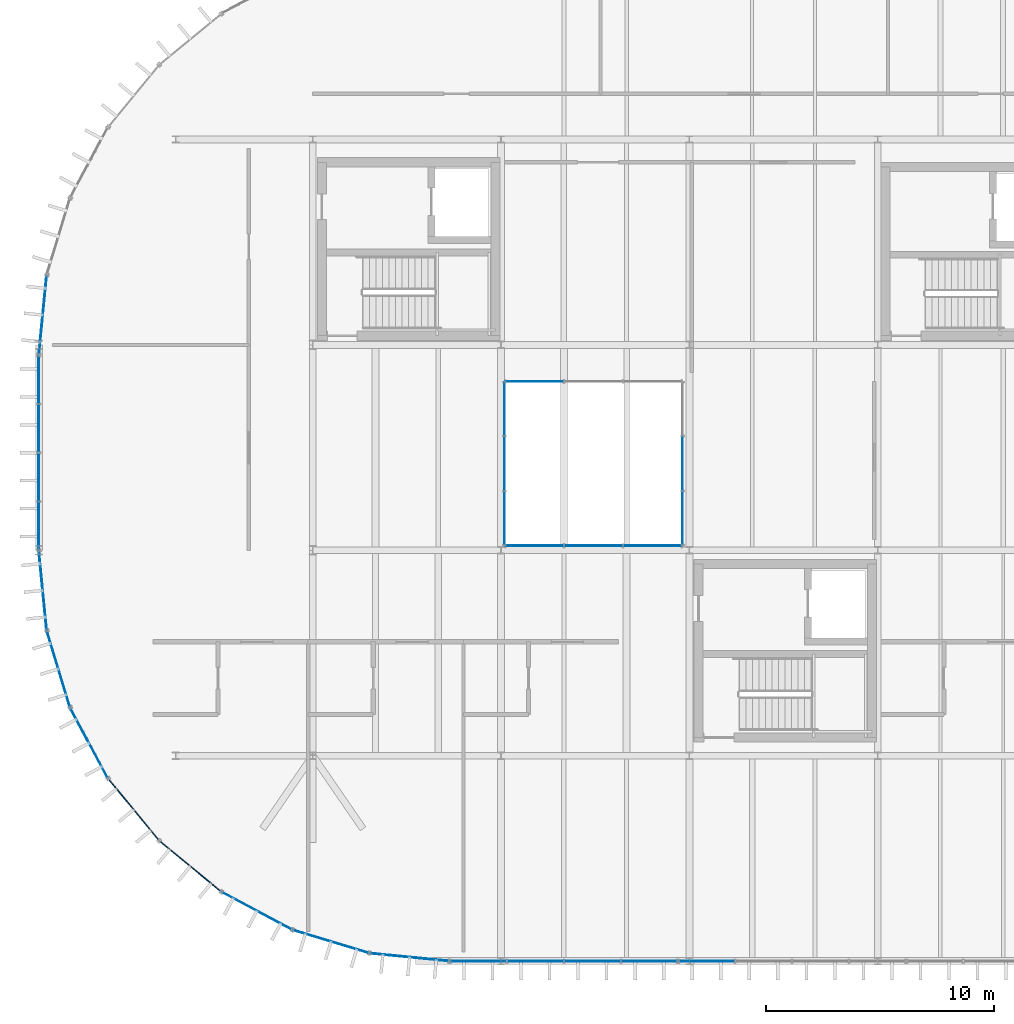
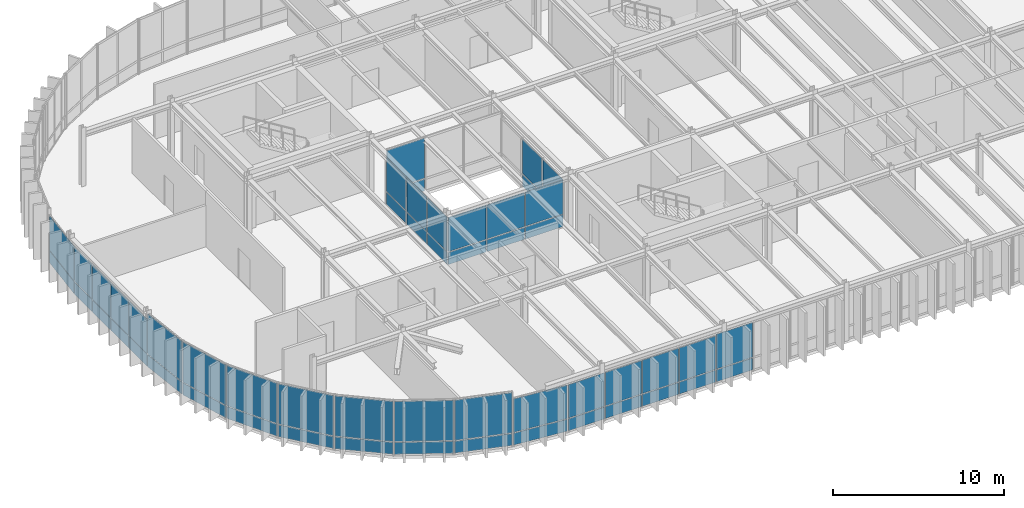
# One storey, part 16 of 27: 54 plates, 16 elements without a shape of their own.
"""IFC4 building model written with IfcOpenShell, lengths in metres."""

from ifc_helpers import new_model, si_unit, direction, frame, origin, origin_2d, place, context, subcontext, project, spatial, rectangle, extrude, material, layer, layer_set, type_object, element, aggregate, save


model = new_model("IFC4")

# Units and contexts
model_context = context("Model", 3, precision=1e-05, world=origin(), true_north=direction((0.0, 1.0)))
body_context = subcontext(model_context, "Body", "Model", "MODEL_VIEW")
ifc_project = project(units=[si_unit("LENGTHUNIT", "METRE"), si_unit("AREAUNIT", "SQUARE_METRE"), si_unit("VOLUMEUNIT", "CUBIC_METRE"), si_unit("PLANEANGLEUNIT", "RADIAN"), si_unit("MASSUNIT", "GRAM", prefix="KILO")], contexts=[model_context])

# Site, building, storey
site_placement = place(None, origin())
site = spatial("IfcSite", under=ifc_project, at=site_placement, CompositionType="ELEMENT")
building_placement = place(site_placement, origin())
building = spatial("IfcBuilding", under=site, at=building_placement, Name="Montealbar Specialist Clinic", CompositionType="ELEMENT")
storey_placement = place(building_placement, frame((0.0, 0.0, 18.0)))
storey = spatial("IfcBuildingStorey", under=building, at=storey_placement, Name="L04", CompositionType="ELEMENT", Elevation=18.0)

# Curtain wall, plates
ifc_material = material(Name="Low-E double glazing", Category="glass")
ifc_layer_1 = layer(ifc_material, 0.199951171875, Name="Low-E double glazing", Category="glass")
ifc_layer_set_1 = layer_set([ifc_layer_1], Name="Low-E double glazing")
curtain_wall_type_1 = type_object("IfcCurtainWallType", Name="CW-TYPE-34", PredefinedType="NOTDEFINED", material=ifc_layer_set_1)
curtain_wall_1_placement = place(storey_placement, origin())
curtain_wall_1 = element("IfcCurtainWall", 1, at=curtain_wall_1_placement, inside=storey, type_object=curtain_wall_type_1, Name="Unitised Curtain Wall CW-L04-744-182-822-182-180", PredefinedType="NOTDEFINED")
ifc_layer_2 = layer(ifc_material, 0.028076171875, Name="Low-E double glazing", Category="glass")
ifc_layer_set_2 = layer_set([ifc_layer_2], Name="Low-E double glazing")
plate_type_1 = type_object("IfcPlateType", Name="CW-PNL-IGU28", PredefinedType="CURTAIN_PANEL", material=ifc_layer_set_2)
plate_1_placement = place(storey_placement, frame((75.699951171875, 18.199951171875, 0.070068359375), z_axis=(0.0, 0.0, 1.0), x_axis=(1.0, 0.0, 0.0)))
plate_1 = element("IfcPlate", 2, at=plate_1_placement, type_object=plate_type_1, Name="Glazed Curtain Panel CW-L04-744-182-822-182-180-1-1", PredefinedType="CURTAIN_PANEL", context=body_context, shape_type="SweptSolid", body=[
    extrude(rectangle(XDim=2.528076171875, YDim=0.028076171875, at=origin_2d()), origin(), (0.0, 0.0, 1.0), 0.85009765625),
])
plate_2_placement = place(storey_placement, frame((75.699951171875, 18.199951171875, 0.97998046875), z_axis=(0.0, 0.0, 1.0), x_axis=(1.0, 0.0, 0.0)))
plate_2 = element("IfcPlate", 3, at=plate_2_placement, type_object=plate_type_1, Name="Glazed Curtain Panel CW-L04-744-182-822-182-180-1-2", PredefinedType="CURTAIN_PANEL", context=body_context, shape_type="SweptSolid", body=[
    extrude(rectangle(XDim=2.528076171875, YDim=0.028076171875, at=origin_2d()), origin(), (0.0, 0.0, 1.0), 2.43994140625),
])
plate_3_placement = place(storey_placement, frame((78.300048828125, 18.199951171875, 0.070068359375), z_axis=(0.0, 0.0, 1.0), x_axis=(1.0, 0.0, 0.0)))
plate_3 = element("IfcPlate", 4, at=plate_3_placement, type_object=plate_type_1, Name="Glazed Curtain Panel CW-L04-744-182-822-182-180-2-1", PredefinedType="CURTAIN_PANEL", context=body_context, shape_type="SweptSolid", body=[
    extrude(rectangle(XDim=2.528076171875, YDim=0.028076171875, at=origin_2d()), origin(), (0.0, 0.0, 1.0), 0.85009765625),
])
plate_4_placement = place(storey_placement, frame((78.300048828125, 18.199951171875, 0.97998046875), z_axis=(0.0, 0.0, 1.0), x_axis=(1.0, 0.0, 0.0)))
plate_4 = element("IfcPlate", 5, at=plate_4_placement, type_object=plate_type_1, Name="Glazed Curtain Panel CW-L04-744-182-822-182-180-2-2", PredefinedType="CURTAIN_PANEL", context=body_context, shape_type="SweptSolid", body=[
    extrude(rectangle(XDim=2.528076171875, YDim=0.028076171875, at=origin_2d()), origin(), (0.0, 0.0, 1.0), 2.43994140625),
])
plate_5_placement = place(storey_placement, frame((80.89990234375, 18.199951171875, 0.070068359375), z_axis=(0.0, 0.0, 1.0), x_axis=(1.0, 0.0, 0.0)))
plate_5 = element("IfcPlate", 6, at=plate_5_placement, type_object=plate_type_1, Name="Glazed Curtain Panel CW-L04-744-182-822-182-180-3-1", PredefinedType="CURTAIN_PANEL", context=body_context, shape_type="SweptSolid", body=[
    extrude(rectangle(XDim=2.528076171875, YDim=0.028076171875, at=origin_2d()), origin(), (0.0, 0.0, 1.0), 0.85009765625),
])
plate_6_placement = place(storey_placement, frame((80.89990234375, 18.199951171875, 0.97998046875), z_axis=(0.0, 0.0, 1.0), x_axis=(1.0, 0.0, 0.0)))
plate_6 = element("IfcPlate", 7, at=plate_6_placement, type_object=plate_type_1, Name="Glazed Curtain Panel CW-L04-744-182-822-182-180-3-2", PredefinedType="CURTAIN_PANEL", context=body_context, shape_type="SweptSolid", body=[
    extrude(rectangle(XDim=2.528076171875, YDim=0.028076171875, at=origin_2d()), origin(), (0.0, 0.0, 1.0), 2.43994140625),
])
aggregate(curtain_wall_1, [plate_1, plate_2, plate_3, plate_4, plate_5, plate_6])

ifc_layer_3 = layer(ifc_material, 0.199951171875, Name="Low-E double glazing", Category="glass")
ifc_layer_set_3 = layer_set([ifc_layer_3], Name="Low-E double glazing")
curtain_wall_type_2 = type_object("IfcCurtainWallType", Name="CW-TYPE-35", PredefinedType="NOTDEFINED", material=ifc_layer_set_3)
curtain_wall_2_placement = place(storey_placement, origin())
curtain_wall_2 = element("IfcCurtainWall", 8, at=curtain_wall_2_placement, inside=storey, type_object=curtain_wall_type_2, Name="Unitised Curtain Wall CW-L04-822-182-822-254-180", PredefinedType="NOTDEFINED")
plate_7_placement = place(storey_placement, frame((82.199951171875, 19.39990234375, 0.070068359375), z_axis=(0.0, 0.0, 1.0), x_axis=(0.0, 1.0, 0.0)))
plate_7 = element("IfcPlate", 9, at=plate_7_placement, type_object=plate_type_1, Name="Glazed Curtain Panel CW-L04-822-182-822-254-180-1-1", PredefinedType="CURTAIN_PANEL", context=body_context, shape_type="SweptSolid", body=[
    extrude(rectangle(XDim=2.327880859375, YDim=0.028076171875, at=origin_2d()), origin(), (0.0, 0.0, 1.0), 0.85009765625),
])
plate_8_placement = place(storey_placement, frame((82.199951171875, 19.39990234375, 0.97998046875), z_axis=(0.0, 0.0, 1.0), x_axis=(0.0, 1.0, 0.0)))
plate_8 = element("IfcPlate", 10, at=plate_8_placement, type_object=plate_type_1, Name="Glazed Curtain Panel CW-L04-822-182-822-254-180-1-2", PredefinedType="CURTAIN_PANEL", context=body_context, shape_type="SweptSolid", body=[
    extrude(rectangle(XDim=2.327880859375, YDim=0.028076171875, at=origin_2d()), origin(), (0.0, 0.0, 1.0), 2.43994140625),
])
plate_9_placement = place(storey_placement, frame((82.199951171875, 21.800048828125, 0.070068359375), z_axis=(0.0, 0.0, 1.0), x_axis=(0.0, 1.0, 0.0)))
plate_9 = element("IfcPlate", 11, at=plate_9_placement, type_object=plate_type_1, Name="Glazed Curtain Panel CW-L04-822-182-822-254-180-2-1", PredefinedType="CURTAIN_PANEL", context=body_context, shape_type="SweptSolid", body=[
    extrude(rectangle(XDim=2.327880859375, YDim=0.028076171875, at=origin_2d()), origin(), (0.0, 0.0, 1.0), 0.85009765625),
])
plate_10_placement = place(storey_placement, frame((82.199951171875, 21.800048828125, 0.97998046875), z_axis=(0.0, 0.0, 1.0), x_axis=(0.0, 1.0, 0.0)))
plate_10 = element("IfcPlate", 12, at=plate_10_placement, type_object=plate_type_1, Name="Glazed Curtain Panel CW-L04-822-182-822-254-180-2-2", PredefinedType="CURTAIN_PANEL", context=body_context, shape_type="SweptSolid", body=[
    extrude(rectangle(XDim=2.327880859375, YDim=0.028076171875, at=origin_2d()), origin(), (0.0, 0.0, 1.0), 2.43994140625),
])
aggregate(curtain_wall_2, [plate_7, plate_8, plate_9, plate_10])

ifc_layer_4 = layer(ifc_material, 0.199951171875, Name="Low-E double glazing", Category="glass")
ifc_layer_set_4 = layer_set([ifc_layer_4], Name="Low-E double glazing")
curtain_wall_type_3 = type_object("IfcCurtainWallType", Name="CW-TYPE-36", PredefinedType="NOTDEFINED", material=ifc_layer_set_4)
curtain_wall_3_placement = place(storey_placement, origin())
curtain_wall_3 = element("IfcCurtainWall", 13, at=curtain_wall_3_placement, inside=storey, type_object=curtain_wall_type_3, Name="Unitised Curtain Wall CW-L04-822-254-744-254-180", PredefinedType="NOTDEFINED")
plate_11_placement = place(storey_placement, frame((75.699951171875, 25.39990234375, 0.070068359375), z_axis=(0.0, 0.0, 1.0), x_axis=(-1.0, 0.0, 0.0)))
plate_11 = element("IfcPlate", 14, at=plate_11_placement, type_object=plate_type_1, Name="Glazed Curtain Panel CW-L04-822-254-744-254-180-3-1", PredefinedType="CURTAIN_PANEL", context=body_context, shape_type="SweptSolid", body=[
    extrude(rectangle(XDim=2.528076171875, YDim=0.028076171875, at=origin_2d()), origin(), (0.0, 0.0, 1.0), 0.85009765625),
])
plate_12_placement = place(storey_placement, frame((75.699951171875, 25.39990234375, 0.97998046875), z_axis=(0.0, 0.0, 1.0), x_axis=(-1.0, 0.0, 0.0)))
plate_12 = element("IfcPlate", 15, at=plate_12_placement, type_object=plate_type_1, Name="Glazed Curtain Panel CW-L04-822-254-744-254-180-3-2", PredefinedType="CURTAIN_PANEL", context=body_context, shape_type="SweptSolid", body=[
    extrude(rectangle(XDim=2.528076171875, YDim=0.028076171875, at=origin_2d()), origin(), (0.0, 0.0, 1.0), 2.8701171875),
])
aggregate(curtain_wall_3, [plate_11, plate_12])

curtain_wall_4_placement = place(storey_placement, origin())
curtain_wall_4 = element("IfcCurtainWall", 16, at=curtain_wall_4_placement, inside=storey, type_object=curtain_wall_type_2, Name="Unitised Curtain Wall CW-L04-744-254-744-182-180", PredefinedType="NOTDEFINED")
plate_13_placement = place(storey_placement, frame((74.39990234375, 24.199951171875, 0.070068359375), z_axis=(0.0, 0.0, 1.0), x_axis=(0.0, -1.0, 0.0)))
plate_13 = element("IfcPlate", 17, at=plate_13_placement, type_object=plate_type_1, Name="Glazed Curtain Panel CW-L04-744-254-744-182-180-1-1", PredefinedType="CURTAIN_PANEL", context=body_context, shape_type="SweptSolid", body=[
    extrude(rectangle(XDim=2.327880859375, YDim=0.028076171875, at=origin_2d()), origin(), (0.0, 0.0, 1.0), 0.85009765625),
])
plate_14_placement = place(storey_placement, frame((74.39990234375, 24.199951171875, 0.97998046875), z_axis=(0.0, 0.0, 1.0), x_axis=(0.0, -1.0, 0.0)))
plate_14 = element("IfcPlate", 18, at=plate_14_placement, type_object=plate_type_1, Name="Glazed Curtain Panel CW-L04-744-254-744-182-180-1-2", PredefinedType="CURTAIN_PANEL", context=body_context, shape_type="SweptSolid", body=[
    extrude(rectangle(XDim=2.327880859375, YDim=0.028076171875, at=origin_2d()), origin(), (0.0, 0.0, 1.0), 2.43994140625),
])
plate_15_placement = place(storey_placement, frame((74.39990234375, 21.800048828125, 0.070068359375), z_axis=(0.0, 0.0, 1.0), x_axis=(0.0, -1.0, 0.0)))
plate_15 = element("IfcPlate", 19, at=plate_15_placement, type_object=plate_type_1, Name="Glazed Curtain Panel CW-L04-744-254-744-182-180-2-1", PredefinedType="CURTAIN_PANEL", context=body_context, shape_type="SweptSolid", body=[
    extrude(rectangle(XDim=2.327880859375, YDim=0.028076171875, at=origin_2d()), origin(), (0.0, 0.0, 1.0), 0.85009765625),
])
plate_16_placement = place(storey_placement, frame((74.39990234375, 21.800048828125, 0.97998046875), z_axis=(0.0, 0.0, 1.0), x_axis=(0.0, -1.0, 0.0)))
plate_16 = element("IfcPlate", 20, at=plate_16_placement, type_object=plate_type_1, Name="Glazed Curtain Panel CW-L04-744-254-744-182-180-2-2", PredefinedType="CURTAIN_PANEL", context=body_context, shape_type="SweptSolid", body=[
    extrude(rectangle(XDim=2.327880859375, YDim=0.028076171875, at=origin_2d()), origin(), (0.0, 0.0, 1.0), 2.43994140625),
])
plate_17_placement = place(storey_placement, frame((74.39990234375, 19.39990234375, 0.070068359375), z_axis=(0.0, 0.0, 1.0), x_axis=(0.0, -1.0, 0.0)))
plate_17 = element("IfcPlate", 21, at=plate_17_placement, type_object=plate_type_1, Name="Glazed Curtain Panel CW-L04-744-254-744-182-180-3-1", PredefinedType="CURTAIN_PANEL", context=body_context, shape_type="SweptSolid", body=[
    extrude(rectangle(XDim=2.327880859375, YDim=0.028076171875, at=origin_2d()), origin(), (0.0, 0.0, 1.0), 0.85009765625),
])
plate_18_placement = place(storey_placement, frame((74.39990234375, 19.39990234375, 0.97998046875), z_axis=(0.0, 0.0, 1.0), x_axis=(0.0, -1.0, 0.0)))
plate_18 = element("IfcPlate", 22, at=plate_18_placement, type_object=plate_type_1, Name="Glazed Curtain Panel CW-L04-744-254-744-182-180-3-2", PredefinedType="CURTAIN_PANEL", context=body_context, shape_type="SweptSolid", body=[
    extrude(rectangle(XDim=2.327880859375, YDim=0.028076171875, at=origin_2d()), origin(), (0.0, 0.0, 1.0), 2.43994140625),
])
aggregate(curtain_wall_4, [plate_13, plate_14, plate_15, plate_16, plate_17, plate_18])

ifc_layer_5 = layer(ifc_material, 0.199951171875, Name="Low-E double glazing", Category="glass")
ifc_layer_set_5 = layer_set([ifc_layer_5], Name="Low-E double glazing")
curtain_wall_type_4 = type_object("IfcCurtainWallType", Name="CW-TYPE-27", PredefinedType="NOTDEFINED", material=ifc_layer_set_5)
curtain_wall_5_placement = place(storey_placement, origin())
curtain_wall_5 = element("IfcCurtainWall", 23, at=curtain_wall_5_placement, inside=storey, type_object=curtain_wall_type_4, Name="Unitised Curtain Wall CW-L04-540-180-540-266-180", PredefinedType="NOTDEFINED")
ifc_layer_6 = layer(ifc_material, 0.0380859375, Name="Low-E double glazing", Category="glass")
ifc_layer_set_6 = layer_set([ifc_layer_6], Name="Low-E double glazing")
plate_type_2 = type_object("IfcPlateType", Name="CW-PNL-IGU38", PredefinedType="CURTAIN_PANEL", material=ifc_layer_set_6)
plate_19_placement = place(storey_placement, frame((54.0, 19.069091796875, 0.070068359375), z_axis=(0.0, 0.0, 1.0), x_axis=(0.0, 1.0, 0.0)))
plate_19 = element("IfcPlate", 24, at=plate_19_placement, type_object=plate_type_2, Name="Glazed Curtain Panel CW-L04-540-180-540-266-180-1-1", PredefinedType="CURTAIN_PANEL", context=body_context, shape_type="SweptSolid", body=[
    extrude(rectangle(XDim=2.053955078125, YDim=0.0380859375, at=origin_2d()), origin(), (0.0, 0.0, 1.0), 0.85009765625),
])
plate_20_placement = place(storey_placement, frame((54.0, 19.069091796875, 0.97998046875), z_axis=(0.0, 0.0, 1.0), x_axis=(0.0, 1.0, 0.0)))
plate_20 = element("IfcPlate", 25, at=plate_20_placement, type_object=plate_type_2, Name="Glazed Curtain Panel CW-L04-540-180-540-266-180-1-2", PredefinedType="CURTAIN_PANEL", context=body_context, shape_type="SweptSolid", body=[
    extrude(rectangle(XDim=2.053955078125, YDim=0.0380859375, at=origin_2d()), origin(), (0.0, 0.0, 1.0), 2.43994140625),
])
plate_21_placement = place(storey_placement, frame((54.0, 21.2060546875, 0.070068359375), z_axis=(0.0, 0.0, 1.0), x_axis=(0.0, 1.0, 0.0)))
plate_21 = element("IfcPlate", 26, at=plate_21_placement, type_object=plate_type_2, Name="Glazed Curtain Panel CW-L04-540-180-540-266-180-2-1", PredefinedType="CURTAIN_PANEL", context=body_context, shape_type="SweptSolid", body=[
    extrude(rectangle(XDim=2.053955078125, YDim=0.0380859375, at=origin_2d()), origin(), (0.0, 0.0, 1.0), 0.85009765625),
])
plate_22_placement = place(storey_placement, frame((54.0, 21.2060546875, 0.97998046875), z_axis=(0.0, 0.0, 1.0), x_axis=(0.0, 1.0, 0.0)))
plate_22 = element("IfcPlate", 27, at=plate_22_placement, type_object=plate_type_2, Name="Glazed Curtain Panel CW-L04-540-180-540-266-180-2-2", PredefinedType="CURTAIN_PANEL", context=body_context, shape_type="SweptSolid", body=[
    extrude(rectangle(XDim=2.053955078125, YDim=0.0380859375, at=origin_2d()), origin(), (0.0, 0.0, 1.0), 2.43994140625),
])
plate_23_placement = place(storey_placement, frame((54.0, 23.343994140625, 0.070068359375), z_axis=(0.0, 0.0, 1.0), x_axis=(0.0, 1.0, 0.0)))
plate_23 = element("IfcPlate", 28, at=plate_23_placement, type_object=plate_type_2, Name="Glazed Curtain Panel CW-L04-540-180-540-266-180-3-1", PredefinedType="CURTAIN_PANEL", context=body_context, shape_type="SweptSolid", body=[
    extrude(rectangle(XDim=2.053955078125, YDim=0.0380859375, at=origin_2d()), origin(), (0.0, 0.0, 1.0), 0.85009765625),
])
plate_24_placement = place(storey_placement, frame((54.0, 23.343994140625, 0.97998046875), z_axis=(0.0, 0.0, 1.0), x_axis=(0.0, 1.0, 0.0)))
plate_24 = element("IfcPlate", 29, at=plate_24_placement, type_object=plate_type_2, Name="Glazed Curtain Panel CW-L04-540-180-540-266-180-3-2", PredefinedType="CURTAIN_PANEL", context=body_context, shape_type="SweptSolid", body=[
    extrude(rectangle(XDim=2.053955078125, YDim=0.0380859375, at=origin_2d()), origin(), (0.0, 0.0, 1.0), 2.43994140625),
])
plate_25_placement = place(storey_placement, frame((54.0, 25.48095703125, 0.070068359375), z_axis=(0.0, 0.0, 1.0), x_axis=(0.0, 1.0, 0.0)))
plate_25 = element("IfcPlate", 30, at=plate_25_placement, type_object=plate_type_2, Name="Glazed Curtain Panel CW-L04-540-180-540-266-180-4-1", PredefinedType="CURTAIN_PANEL", context=body_context, shape_type="SweptSolid", body=[
    extrude(rectangle(XDim=2.053955078125, YDim=0.0380859375, at=origin_2d()), origin(), (0.0, 0.0, 1.0), 0.85009765625),
])
plate_26_placement = place(storey_placement, frame((54.0, 25.48095703125, 0.97998046875), z_axis=(0.0, 0.0, 1.0), x_axis=(0.0, 1.0, 0.0)))
plate_26 = element("IfcPlate", 31, at=plate_26_placement, type_object=plate_type_2, Name="Glazed Curtain Panel CW-L04-540-180-540-266-180-4-2", PredefinedType="CURTAIN_PANEL", context=body_context, shape_type="SweptSolid", body=[
    extrude(rectangle(XDim=2.053955078125, YDim=0.0380859375, at=origin_2d()), origin(), (0.0, 0.0, 1.0), 2.43994140625),
])
aggregate(curtain_wall_5, [plate_19, plate_20, plate_21, plate_22, plate_23, plate_24, plate_25, plate_26])

ifc_layer_7 = layer(ifc_material, 0.199951171875, Name="Low-E double glazing", Category="glass")
ifc_layer_set_7 = layer_set([ifc_layer_7], Name="Low-E double glazing")
curtain_wall_type_5 = type_object("IfcCurtainWallType", Name="CW-TYPE-28", PredefinedType="NOTDEFINED", material=ifc_layer_set_7)
curtain_wall_6_placement = place(storey_placement, origin())
curtain_wall_6 = element("IfcCurtainWall", 32, at=curtain_wall_6_placement, inside=storey, type_object=curtain_wall_type_5, Name="Unitised Curtain Wall CW-L04-540-266-543-301-180", PredefinedType="NOTDEFINED")
plate_27_placement = place(storey_placement, frame((54.173095703125, 28.305908203125, 0.070068359375), z_axis=(0.0, 0.0, 1.0), x_axis=(0.098044697094, 0.995182012183, 0.0)))
plate_27 = element("IfcPlate", 33, at=plate_27_placement, type_object=plate_type_2, Name="Glazed Curtain Panel CW-L04-540-266-543-301-180-1-1", PredefinedType="CURTAIN_PANEL", context=body_context, shape_type="SweptSolid", body=[
    extrude(rectangle(XDim=3.445068359375, YDim=0.0380859375, at=origin_2d()), origin(), (0.0, 0.0, 1.0), 0.85009765625),
])
plate_28_placement = place(storey_placement, frame((54.173095703125, 28.305908203125, 0.97998046875), z_axis=(0.0, 0.0, 1.0), x_axis=(0.098044697094, 0.995182012183, 0.0)))
plate_28 = element("IfcPlate", 34, at=plate_28_placement, type_object=plate_type_2, Name="Glazed Curtain Panel CW-L04-540-266-543-301-180-1-2", PredefinedType="CURTAIN_PANEL", context=body_context, shape_type="SweptSolid", body=[
    extrude(rectangle(XDim=3.445068359375, YDim=0.0380859375, at=origin_2d()), origin(), (0.0, 0.0, 1.0), 2.43994140625),
])
aggregate(curtain_wall_6, [plate_27, plate_28])

ifc_layer_8 = layer(ifc_material, 0.199951171875, Name="Low-E double glazing", Category="glass")
ifc_layer_set_8 = layer_set([ifc_layer_8], Name="Low-E double glazing")
curtain_wall_type_6 = type_object("IfcCurtainWallType", Name="CW-TYPE-16", PredefinedType="NOTDEFINED", material=ifc_layer_set_8)
curtain_wall_7_placement = place(storey_placement, origin())
curtain_wall_7 = element("IfcCurtainWall", 35, at=curtain_wall_7_placement, inside=storey, type_object=curtain_wall_type_6, Name="Unitised Curtain Wall CW-L04-920-0-820-0-180", PredefinedType="NOTDEFINED")
plate_29_placement = place(storey_placement, frame((83.25, 0.0, 0.070068359375), z_axis=(0.0, 0.0, 1.0), x_axis=(-1.0, 0.0, 0.0)))
plate_29 = element("IfcPlate", 36, at=plate_29_placement, type_object=plate_type_2, Name="Glazed Curtain Panel CW-L04-920-0-820-0-180-4-1", PredefinedType="CURTAIN_PANEL", context=body_context, shape_type="SweptSolid", body=[
    extrude(rectangle(XDim=2.416015625, YDim=0.0380859375, at=origin_2d()), origin(), (0.0, 0.0, 1.0), 0.85009765625),
])
plate_30_placement = place(storey_placement, frame((83.25, 0.0, 0.97998046875), z_axis=(0.0, 0.0, 1.0), x_axis=(-1.0, 0.0, 0.0)))
plate_30 = element("IfcPlate", 37, at=plate_30_placement, type_object=plate_type_2, Name="Glazed Curtain Panel CW-L04-920-0-820-0-180-4-2", PredefinedType="CURTAIN_PANEL", context=body_context, shape_type="SweptSolid", body=[
    extrude(rectangle(XDim=2.416015625, YDim=0.0380859375, at=origin_2d()), origin(), (0.0, 0.0, 1.0), 2.47998046875),
])
aggregate(curtain_wall_7, [plate_29, plate_30])

ifc_layer_9 = layer(ifc_material, 0.199951171875, Name="Low-E double glazing", Category="glass")
ifc_layer_set_9 = layer_set([ifc_layer_9], Name="Low-E double glazing")
curtain_wall_type_7 = type_object("IfcCurtainWallType", Name="CW-TYPE-32", PredefinedType="NOTDEFINED", material=ifc_layer_set_9)
curtain_wall_8_placement = place(storey_placement, origin())
curtain_wall_8 = element("IfcCurtainWall", 38, at=curtain_wall_8_placement, inside=storey, type_object=curtain_wall_type_7, Name="Unitised Curtain Wall CW-L04-820-0-720-0-180", PredefinedType="NOTDEFINED")
plate_31_placement = place(storey_placement, frame((80.75, 0.0, 0.070068359375), z_axis=(0.0, 0.0, 1.0), x_axis=(-1.0, 0.0, 0.0)))
plate_31 = element("IfcPlate", 39, at=plate_31_placement, type_object=plate_type_2, Name="Glazed Curtain Panel CW-L04-820-0-720-0-180-1-1", PredefinedType="CURTAIN_PANEL", context=body_context, shape_type="SweptSolid", body=[
    extrude(rectangle(XDim=2.416015625, YDim=0.0380859375, at=origin_2d()), origin(), (0.0, 0.0, 1.0), 0.85009765625),
])
plate_32_placement = place(storey_placement, frame((80.75, 0.0, 0.97998046875), z_axis=(0.0, 0.0, 1.0), x_axis=(-1.0, 0.0, 0.0)))
plate_32 = element("IfcPlate", 40, at=plate_32_placement, type_object=plate_type_2, Name="Glazed Curtain Panel CW-L04-820-0-720-0-180-1-2", PredefinedType="CURTAIN_PANEL", context=body_context, shape_type="SweptSolid", body=[
    extrude(rectangle(XDim=2.416015625, YDim=0.0380859375, at=origin_2d()), origin(), (0.0, 0.0, 1.0), 2.387939453125),
])
plate_33_placement = place(storey_placement, frame((78.25, 0.0, 0.070068359375), z_axis=(0.0, 0.0, 1.0), x_axis=(-1.0, 0.0, 0.0)))
plate_33 = element("IfcPlate", 41, at=plate_33_placement, type_object=plate_type_2, Name="Glazed Curtain Panel CW-L04-820-0-720-0-180-2-1", PredefinedType="CURTAIN_PANEL", context=body_context, shape_type="SweptSolid", body=[
    extrude(rectangle(XDim=2.416015625, YDim=0.0380859375, at=origin_2d()), origin(), (0.0, 0.0, 1.0), 0.85009765625),
])
plate_34_placement = place(storey_placement, frame((78.25, 0.0, 0.97998046875), z_axis=(0.0, 0.0, 1.0), x_axis=(-1.0, 0.0, 0.0)))
plate_34 = element("IfcPlate", 42, at=plate_34_placement, type_object=plate_type_2, Name="Glazed Curtain Panel CW-L04-820-0-720-0-180-2-2", PredefinedType="CURTAIN_PANEL", context=body_context, shape_type="SweptSolid", body=[
    extrude(rectangle(XDim=2.416015625, YDim=0.0380859375, at=origin_2d()), origin(), (0.0, 0.0, 1.0), 2.387939453125),
])
plate_35_placement = place(storey_placement, frame((75.75, 0.0, 0.070068359375), z_axis=(0.0, 0.0, 1.0), x_axis=(-1.0, 0.0, 0.0)))
plate_35 = element("IfcPlate", 43, at=plate_35_placement, type_object=plate_type_2, Name="Glazed Curtain Panel CW-L04-820-0-720-0-180-3-1", PredefinedType="CURTAIN_PANEL", context=body_context, shape_type="SweptSolid", body=[
    extrude(rectangle(XDim=2.416015625, YDim=0.0380859375, at=origin_2d()), origin(), (0.0, 0.0, 1.0), 0.85009765625),
])
plate_36_placement = place(storey_placement, frame((75.75, 0.0, 0.97998046875), z_axis=(0.0, 0.0, 1.0), x_axis=(-1.0, 0.0, 0.0)))
plate_36 = element("IfcPlate", 44, at=plate_36_placement, type_object=plate_type_2, Name="Glazed Curtain Panel CW-L04-820-0-720-0-180-3-2", PredefinedType="CURTAIN_PANEL", context=body_context, shape_type="SweptSolid", body=[
    extrude(rectangle(XDim=2.416015625, YDim=0.0380859375, at=origin_2d()), origin(), (0.0, 0.0, 1.0), 2.387939453125),
])
plate_37_placement = place(storey_placement, frame((73.25, 0.0, 0.070068359375), z_axis=(0.0, 0.0, 1.0), x_axis=(-1.0, 0.0, 0.0)))
plate_37 = element("IfcPlate", 45, at=plate_37_placement, type_object=plate_type_2, Name="Glazed Curtain Panel CW-L04-820-0-720-0-180-4-1", PredefinedType="CURTAIN_PANEL", context=body_context, shape_type="SweptSolid", body=[
    extrude(rectangle(XDim=2.416015625, YDim=0.0380859375, at=origin_2d()), origin(), (0.0, 0.0, 1.0), 0.85009765625),
])
plate_38_placement = place(storey_placement, frame((73.25, 0.0, 0.97998046875), z_axis=(0.0, 0.0, 1.0), x_axis=(-1.0, 0.0, 0.0)))
plate_38 = element("IfcPlate", 46, at=plate_38_placement, type_object=plate_type_2, Name="Glazed Curtain Panel CW-L04-820-0-720-0-180-4-2", PredefinedType="CURTAIN_PANEL", context=body_context, shape_type="SweptSolid", body=[
    extrude(rectangle(XDim=2.416015625, YDim=0.0380859375, at=origin_2d()), origin(), (0.0, 0.0, 1.0), 2.387939453125),
])
aggregate(curtain_wall_8, [plate_31, plate_32, plate_33, plate_34, plate_35, plate_36, plate_37, plate_38])

ifc_layer_10 = layer(ifc_material, 0.199951171875, Name="Low-E double glazing", Category="glass")
ifc_layer_set_10 = layer_set([ifc_layer_10], Name="Low-E double glazing")
curtain_wall_type_8 = type_object("IfcCurtainWallType", Name="CW-TYPE-33", PredefinedType="NOTDEFINED", material=ifc_layer_set_10)
curtain_wall_9_placement = place(storey_placement, origin())
curtain_wall_9 = element("IfcCurtainWall", 47, at=curtain_wall_9_placement, inside=storey, type_object=curtain_wall_type_8, Name="Unitised Curtain Wall CW-L04-720-0-685-3-180", PredefinedType="NOTDEFINED")
plate_39_placement = place(storey_placement, frame((70.243896484375, 0.173095703125, 0.070068359375), z_axis=(0.0, 0.0, 1.0), x_axis=(-0.995182012183, 0.098044697094, 0.0)))
plate_39 = element("IfcPlate", 48, at=plate_39_placement, type_object=plate_type_2, Name="Glazed Curtain Panel CW-L04-720-0-685-3-180-1-1", PredefinedType="CURTAIN_PANEL", context=body_context, shape_type="SweptSolid", body=[
    extrude(rectangle(XDim=3.445068359375, YDim=0.0380859375, at=origin_2d()), origin(), (0.0, 0.0, 1.0), 0.85009765625),
])
plate_40_placement = place(storey_placement, frame((70.243896484375, 0.173095703125, 0.97998046875), z_axis=(0.0, 0.0, 1.0), x_axis=(-0.995182012183, 0.098044697094, 0.0)))
plate_40 = element("IfcPlate", 49, at=plate_40_placement, type_object=plate_type_2, Name="Glazed Curtain Panel CW-L04-720-0-685-3-180-1-2", PredefinedType="CURTAIN_PANEL", context=body_context, shape_type="SweptSolid", body=[
    extrude(rectangle(XDim=3.445068359375, YDim=0.0380859375, at=origin_2d()), origin(), (0.0, 0.0, 1.0), 2.387939453125),
])
aggregate(curtain_wall_9, [plate_39, plate_40])

ifc_layer_11 = layer(ifc_material, 0.199951171875, Name="Low-E double glazing", Category="glass")
ifc_layer_set_11 = layer_set([ifc_layer_11], Name="Low-E double glazing")
curtain_wall_type_9 = type_object("IfcCurtainWallType", Name="CW-TYPE-29", PredefinedType="NOTDEFINED", material=ifc_layer_set_11)
curtain_wall_10_placement = place(storey_placement, origin())
curtain_wall_10 = element("IfcCurtainWall", 50, at=curtain_wall_10_placement, inside=storey, type_object=curtain_wall_type_9, Name="Unitised Curtain Wall CW-L04-685-3-651-14-180", PredefinedType="NOTDEFINED")
plate_41_placement = place(storey_placement, frame((66.800048828125, 0.85791015625, 0.070068359375), z_axis=(0.0, 0.0, 1.0), x_axis=(-0.956948083701, 0.290259134399, 0.0)))
plate_41 = element("IfcPlate", 51, at=plate_41_placement, type_object=plate_type_2, Name="Glazed Curtain Panel CW-L04-685-3-651-14-180-1-1", PredefinedType="CURTAIN_PANEL", context=body_context, shape_type="SweptSolid", body=[
    extrude(rectangle(XDim=3.444091796875, YDim=0.0380859375, at=origin_2d()), origin(), (0.0, 0.0, 1.0), 0.85009765625),
])
plate_42_placement = place(storey_placement, frame((66.800048828125, 0.85791015625, 0.97998046875), z_axis=(0.0, 0.0, 1.0), x_axis=(-0.956948083701, 0.290259134399, 0.0)))
plate_42 = element("IfcPlate", 52, at=plate_42_placement, type_object=plate_type_2, Name="Glazed Curtain Panel CW-L04-685-3-651-14-180-1-2", PredefinedType="CURTAIN_PANEL", context=body_context, shape_type="SweptSolid", body=[
    extrude(rectangle(XDim=3.444091796875, YDim=0.0380859375, at=origin_2d()), origin(), (0.0, 0.0, 1.0), 2.8701171875),
])
aggregate(curtain_wall_10, [plate_41, plate_42])

curtain_wall_11_placement = place(storey_placement, origin())
curtain_wall_11 = element("IfcCurtainWall", 53, at=curtain_wall_11_placement, inside=storey, type_object=curtain_wall_type_9, Name="Unitised Curtain Wall CW-L04-651-14-620-30-180", PredefinedType="NOTDEFINED")
plate_43_placement = place(storey_placement, frame((63.555908203125, 2.201904296875, 0.070068359375), z_axis=(0.0, 0.0, 1.0), x_axis=(-0.881850411644, 0.471529268958, 0.0)))
plate_43 = element("IfcPlate", 54, at=plate_43_placement, type_object=plate_type_2, Name="Glazed Curtain Panel CW-L04-651-14-620-30-180-1-1", PredefinedType="CURTAIN_PANEL", context=body_context, shape_type="SweptSolid", body=[
    extrude(rectangle(XDim=3.445068359375, YDim=0.0380859375, at=origin_2d()), origin(), (0.0, 0.0, 1.0), 0.85009765625),
])
plate_44_placement = place(storey_placement, frame((63.555908203125, 2.201904296875, 0.97998046875), z_axis=(0.0, 0.0, 1.0), x_axis=(-0.881850411644, 0.471529268958, 0.0)))
plate_44 = element("IfcPlate", 55, at=plate_44_placement, type_object=plate_type_2, Name="Glazed Curtain Panel CW-L04-651-14-620-30-180-1-2", PredefinedType="CURTAIN_PANEL", context=body_context, shape_type="SweptSolid", body=[
    extrude(rectangle(XDim=3.445068359375, YDim=0.0380859375, at=origin_2d()), origin(), (0.0, 0.0, 1.0), 2.8701171875),
])
aggregate(curtain_wall_11, [plate_43, plate_44])

curtain_wall_12_placement = place(storey_placement, origin())
curtain_wall_12 = element("IfcCurtainWall", 56, at=curtain_wall_12_placement, inside=storey, type_object=curtain_wall_type_9, Name="Unitised Curtain Wall CW-L04-620-30-593-53-180", PredefinedType="NOTDEFINED")
plate_45_placement = place(storey_placement, frame((60.635986328125, 4.153076171875, 0.070068359375), z_axis=(0.0, 0.0, 1.0), x_axis=(-0.773123255923, 0.634255808922, 0.0)))
plate_45 = element("IfcPlate", 57, at=plate_45_placement, type_object=plate_type_2, Name="Glazed Curtain Panel CW-L04-620-30-593-53-180-1-1", PredefinedType="CURTAIN_PANEL", context=body_context, shape_type="SweptSolid", body=[
    extrude(rectangle(XDim=3.445068359375, YDim=0.0380859375, at=origin_2d()), origin(), (0.0, 0.0, 1.0), 0.85009765625),
])
plate_46_placement = place(storey_placement, frame((60.635986328125, 4.153076171875, 0.97998046875), z_axis=(0.0, 0.0, 1.0), x_axis=(-0.773123255923, 0.634255808922, 0.0)))
plate_46 = element("IfcPlate", 58, at=plate_46_placement, type_object=plate_type_2, Name="Glazed Curtain Panel CW-L04-620-30-593-53-180-1-2", PredefinedType="CURTAIN_PANEL", context=body_context, shape_type="SweptSolid", body=[
    extrude(rectangle(XDim=3.445068359375, YDim=0.0380859375, at=origin_2d()), origin(), (0.0, 0.0, 1.0), 2.8701171875),
])
aggregate(curtain_wall_12, [plate_45, plate_46])

curtain_wall_13_placement = place(storey_placement, origin())
curtain_wall_13 = element("IfcCurtainWall", 59, at=curtain_wall_13_placement, inside=storey, type_object=curtain_wall_type_9, Name="Unitised Curtain Wall CW-L04-593-53-570-80-180", PredefinedType="NOTDEFINED")
plate_47_placement = place(storey_placement, frame((58.153076171875, 6.635986328125, 0.070068359375), z_axis=(0.0, 0.0, 1.0), x_axis=(-0.634255808922, 0.773123255923, 0.0)))
plate_47 = element("IfcPlate", 60, at=plate_47_placement, type_object=plate_type_2, Name="Glazed Curtain Panel CW-L04-593-53-570-80-180-1-1", PredefinedType="CURTAIN_PANEL", context=body_context, shape_type="SweptSolid", body=[
    extrude(rectangle(XDim=3.445068359375, YDim=0.0380859375, at=origin_2d()), origin(), (0.0, 0.0, 1.0), 0.85009765625),
])
plate_48_placement = place(storey_placement, frame((58.153076171875, 6.635986328125, 0.97998046875), z_axis=(0.0, 0.0, 1.0), x_axis=(-0.634255808922, 0.773123255923, 0.0)))
plate_48 = element("IfcPlate", 61, at=plate_48_placement, type_object=plate_type_2, Name="Glazed Curtain Panel CW-L04-593-53-570-80-180-1-2", PredefinedType="CURTAIN_PANEL", context=body_context, shape_type="SweptSolid", body=[
    extrude(rectangle(XDim=3.445068359375, YDim=0.0380859375, at=origin_2d()), origin(), (0.0, 0.0, 1.0), 2.8701171875),
])
aggregate(curtain_wall_13, [plate_47, plate_48])

curtain_wall_14_placement = place(storey_placement, origin())
curtain_wall_14 = element("IfcCurtainWall", 62, at=curtain_wall_14_placement, inside=storey, type_object=curtain_wall_type_9, Name="Unitised Curtain Wall CW-L04-570-80-554-111-180", PredefinedType="NOTDEFINED")
plate_49_placement = place(storey_placement, frame((56.201904296875, 9.555908203125, 0.070068359375), z_axis=(0.0, 0.0, 1.0), x_axis=(-0.471529268958, 0.881850411644, 0.0)))
plate_49 = element("IfcPlate", 63, at=plate_49_placement, type_object=plate_type_2, Name="Glazed Curtain Panel CW-L04-570-80-554-111-180-1-1", PredefinedType="CURTAIN_PANEL", context=body_context, shape_type="SweptSolid", body=[
    extrude(rectangle(XDim=3.445068359375, YDim=0.0380859375, at=origin_2d()), origin(), (0.0, 0.0, 1.0), 0.85009765625),
])
plate_50_placement = place(storey_placement, frame((56.201904296875, 9.555908203125, 0.97998046875), z_axis=(0.0, 0.0, 1.0), x_axis=(-0.471529268958, 0.881850411644, 0.0)))
plate_50 = element("IfcPlate", 64, at=plate_50_placement, type_object=plate_type_2, Name="Glazed Curtain Panel CW-L04-570-80-554-111-180-1-2", PredefinedType="CURTAIN_PANEL", context=body_context, shape_type="SweptSolid", body=[
    extrude(rectangle(XDim=3.445068359375, YDim=0.0380859375, at=origin_2d()), origin(), (0.0, 0.0, 1.0), 2.8701171875),
])
aggregate(curtain_wall_14, [plate_49, plate_50])

curtain_wall_15_placement = place(storey_placement, origin())
curtain_wall_15 = element("IfcCurtainWall", 65, at=curtain_wall_15_placement, inside=storey, type_object=curtain_wall_type_9, Name="Unitised Curtain Wall CW-L04-554-111-543-145-180", PredefinedType="NOTDEFINED")
plate_51_placement = place(storey_placement, frame((54.85791015625, 12.800048828125, 0.070068359375), z_axis=(0.0, 0.0, 1.0), x_axis=(-0.290259134399, 0.956948083701, 0.0)))
plate_51 = element("IfcPlate", 66, at=plate_51_placement, type_object=plate_type_2, Name="Glazed Curtain Panel CW-L04-554-111-543-145-180-1-1", PredefinedType="CURTAIN_PANEL", context=body_context, shape_type="SweptSolid", body=[
    extrude(rectangle(XDim=3.444091796875, YDim=0.0380859375, at=origin_2d()), origin(), (0.0, 0.0, 1.0), 0.85009765625),
])
plate_52_placement = place(storey_placement, frame((54.85791015625, 12.800048828125, 0.97998046875), z_axis=(0.0, 0.0, 1.0), x_axis=(-0.290259134399, 0.956948083701, 0.0)))
plate_52 = element("IfcPlate", 67, at=plate_52_placement, type_object=plate_type_2, Name="Glazed Curtain Panel CW-L04-554-111-543-145-180-1-2", PredefinedType="CURTAIN_PANEL", context=body_context, shape_type="SweptSolid", body=[
    extrude(rectangle(XDim=3.444091796875, YDim=0.0380859375, at=origin_2d()), origin(), (0.0, 0.0, 1.0), 2.8701171875),
])
aggregate(curtain_wall_15, [plate_51, plate_52])

curtain_wall_16_placement = place(storey_placement, origin())
curtain_wall_16 = element("IfcCurtainWall", 68, at=curtain_wall_16_placement, inside=storey, type_object=curtain_wall_type_9, Name="Unitised Curtain Wall CW-L04-543-145-540-180-180", PredefinedType="NOTDEFINED")
plate_53_placement = place(storey_placement, frame((54.173095703125, 16.243896484375, 0.070068359375), z_axis=(0.0, 0.0, 1.0), x_axis=(-0.098044697094, 0.995182012183, 0.0)))
plate_53 = element("IfcPlate", 69, at=plate_53_placement, type_object=plate_type_2, Name="Glazed Curtain Panel CW-L04-543-145-540-180-180-1-1", PredefinedType="CURTAIN_PANEL", context=body_context, shape_type="SweptSolid", body=[
    extrude(rectangle(XDim=3.445068359375, YDim=0.0380859375, at=origin_2d()), origin(), (0.0, 0.0, 1.0), 0.85009765625),
])
plate_54_placement = place(storey_placement, frame((54.173095703125, 16.243896484375, 0.97998046875), z_axis=(0.0, 0.0, 1.0), x_axis=(-0.098044697094, 0.995182012183, 0.0)))
plate_54 = element("IfcPlate", 70, at=plate_54_placement, type_object=plate_type_2, Name="Glazed Curtain Panel CW-L04-543-145-540-180-180-1-2", PredefinedType="CURTAIN_PANEL", context=body_context, shape_type="SweptSolid", body=[
    extrude(rectangle(XDim=3.445068359375, YDim=0.0380859375, at=origin_2d()), origin(), (0.0, 0.0, 1.0), 2.8701171875),
])
aggregate(curtain_wall_16, [plate_53, plate_54])

save(model, "model.ifc")
